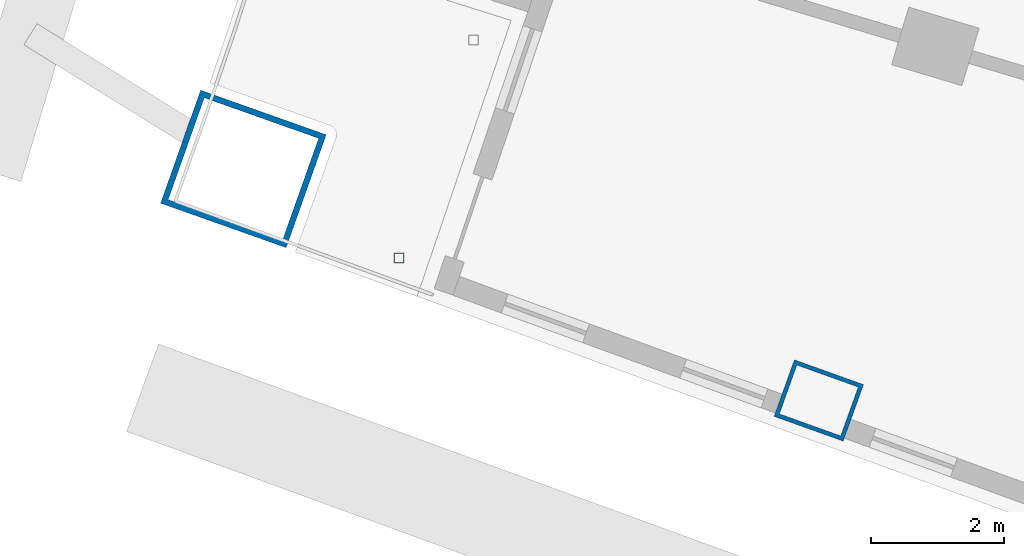
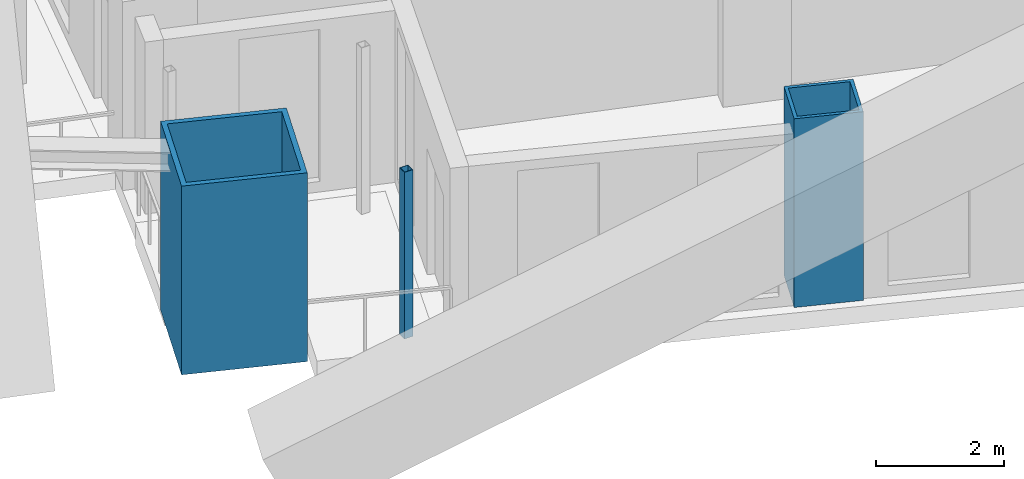
# One storey, part 1 of 25: 3 columns.
"""IFC4 building model written with IfcOpenShell, lengths in metres."""

import ifcopenshell
import ifcopenshell.guid

model = None  # the IFC model being written
_history = None  # IfcOwnerHistory: only IFC2X3 demands one
_inside = {}  # id of a spatial element -> (the spatial element, [elements in it])
_under = {}  # id of a project, library or spatial element -> (it, [spatial elements below it])
_declared = {}  # id of a project -> (the project, [libraries it declares])
_typed = {}  # id of a type object -> (the type object, [elements of that type])
_made_of = {}  # id of a material, layer set ... -> (it, [elements and type objects made of it])


def new_model(schema):
    """Start an empty IFC model of exactly this schema.

    Asked for "IFC4X3", IfcOpenShell would pick the latest addendum, in which some entities
    have other attributes; the version numbers below select the first issue.
    IFC2X3 requires an IfcOwnerHistory on every rooted entity: one is made here for all.
    """
    global model, _history
    if schema == "IFC4X3":
        model = ifcopenshell.file(schema_version=(4, 3, 0, 0))
    else:
        model = ifcopenshell.file(schema=schema)
    _inside.clear()
    _under.clear()
    _declared.clear()
    _typed.clear()
    _made_of.clear()
    _history = None
    if model.schema == "IFC2X3":
        org = make("IfcOrganization", Name="unknown")
        user = make(
            "IfcPersonAndOrganization",
            ThePerson=make("IfcPerson", FamilyName="unknown"),
            TheOrganization=org,
        )
        app = make(
            "IfcApplication",
            ApplicationDeveloper=org,
            Version="unknown",
            ApplicationFullName="unknown",
            ApplicationIdentifier="unknown",
        )
        _history = make(
            "IfcOwnerHistory",
            OwningUser=user,
            OwningApplication=app,
            ChangeAction="ADDED",
            CreationDate=0,
        )
    return model


def make(cls, **values):
    """One entity of the class cls with the attributes given. An attribute that is None is left unset."""
    return model.create_entity(
        cls, **{name: value for name, value in values.items() if value is not None}
    )


def rooted(cls, **values):
    """An entity with a GlobalId (a new one), such as an element, a storey or a relation."""
    return make(cls, GlobalId=ifcopenshell.guid.new(), OwnerHistory=_history, **values)


def si_unit(unit_type, name, prefix=None):
    """IfcSIUnit, for example si_unit("LENGTHUNIT", "METRE", prefix="MILLI")."""
    return make("IfcSIUnit", UnitType=unit_type, Prefix=prefix, Name=name)


def assignment(units):
    """IfcUnitAssignment: the units of a project."""
    return None if units is None else make("IfcUnitAssignment", Units=units)


def point(xyz):
    """IfcCartesianPoint."""
    return None if xyz is None else make("IfcCartesianPoint", Coordinates=xyz)


def direction(xyz):
    """IfcDirection."""
    return None if xyz is None else make("IfcDirection", DirectionRatios=xyz)


def frame(location, z_axis=None, x_axis=None):
    """IfcAxis2Placement3D, a coordinate frame: its origin and axes. An axis left out is left unset."""
    return make(
        "IfcAxis2Placement3D",
        Location=point(location),
        Axis=direction(z_axis),
        RefDirection=direction(x_axis),
    )


def frame_2d(location, x_axis=None):
    """IfcAxis2Placement2D, a coordinate frame in the plane: its origin and x axis."""
    return make(
        "IfcAxis2Placement2D", Location=point(location), RefDirection=direction(x_axis)
    )


def origin():
    """The frame at (0, 0, 0) with its axes left unset."""
    return frame((0.0, 0.0, 0.0))


def origin_2d():
    """The frame at (0, 0) in the plane with its x axis left unset."""
    return frame_2d((0.0, 0.0))


def place(relative_to, where):
    """IfcLocalPlacement: puts the frame where relative to a parent placement (None: the world)."""
    return make(
        "IfcLocalPlacement", PlacementRelTo=relative_to, RelativePlacement=where
    )


def context(
    kind, dimensions, precision=None, world=None, true_north=None, identifier=None
):
    """IfcGeometricRepresentationContext, for example the 3D "Model" context."""
    return make(
        "IfcGeometricRepresentationContext",
        ContextIdentifier=identifier,
        ContextType=kind,
        CoordinateSpaceDimension=dimensions,
        Precision=precision,
        WorldCoordinateSystem=world,
        TrueNorth=true_north,
    )


def subcontext(parent, identifier, kind, view, scale=None):
    """IfcGeometricRepresentationSubContext, for example "Body" below "Model"."""
    return make(
        "IfcGeometricRepresentationSubContext",
        ContextIdentifier=identifier,
        ContextType=kind,
        ParentContext=parent,
        TargetScale=scale,
        TargetView=view,
    )


def project(units=None, contexts=None):
    """IfcProject with its units and contexts."""
    return rooted(
        "IfcProject",
        Name="project",
        RepresentationContexts=contexts,
        UnitsInContext=assignment(units),
    )


def spatial(cls, under=None, at=None, **own):
    """A site, building, storey or space (cls), placed at a placement, below another one or the project."""
    s = rooted(cls, ObjectPlacement=at, **own)
    if under is not None:
        _under.setdefault(under.id(), (under, []))[1].append(s)
    return s


def profile(cls, at=None, kind="AREA", **sizes):
    """A parametric profile (cls). Its sizes go by their IFC names, for example OverallWidth=200.0."""
    return make(cls, ProfileType=kind, Position=at, **sizes)


def hollow_rectangle(**sizes):
    """IfcRectangleHollowProfileDef."""
    return profile("IfcRectangleHollowProfileDef", **sizes)


def extrude(swept, where, along, depth):
    """IfcExtrudedAreaSolid: the profile swept, set in the frame where, extruded along a direction by depth."""
    return make(
        "IfcExtrudedAreaSolid",
        SweptArea=swept,
        Position=where,
        ExtrudedDirection=direction(along),
        Depth=depth,
    )


def shape(context_of_items, identifier, shape_type, items):
    """IfcShapeRepresentation: the items that make up one representation, for example the "Body"."""
    return make(
        "IfcShapeRepresentation",
        ContextOfItems=context_of_items,
        RepresentationIdentifier=identifier,
        RepresentationType=shape_type,
        Items=items,
    )


def material(Name=None, Category=None):
    """IfcMaterial."""
    return make("IfcMaterial", Name=Name, Category=Category)


def material_profile(
    of_material, cross_section, Name=None, Category=None, Priority=None
):
    """IfcMaterialProfile: a cross section and its material."""
    return make(
        "IfcMaterialProfile",
        Name=Name,
        Material=of_material,
        Profile=cross_section,
        Priority=Priority,
        Category=Category,
    )


def profile_set(profiles, Name=None, composite=None):
    """IfcMaterialProfileSet."""
    return make(
        "IfcMaterialProfileSet",
        Name=Name,
        MaterialProfiles=profiles,
        CompositeProfile=composite,
    )


def made_of(thing, what):
    """Note that an element or type object is made of a material, layer set ...; save() writes the relation."""
    if what is not None:
        _made_of.setdefault(what.id(), (what, []))[1].append(thing)
    return thing


def type_object(cls, material=None, **own):
    """A type object (cls), such as IfcWallType, which elements share."""
    return made_of(rooted(cls, **own), material)


def element(
    cls,
    number,
    at=None,
    inside=None,
    cuts=None,
    type_object=None,
    material=None,
    context=None,
    identifier="Body",
    shape_type=None,
    held_by="IfcProductDefinitionShape",
    body=None,
    shapes=None,
    **own,
):
    """One element of the class cls, such as IfcWall. Its Tag is "e" and its number.

    at: its placement. inside: the storey or other place that contains it. cuts: it is an
    opening in that element (IfcRelVoidsElement). A single representation is given by context,
    identifier, shape_type and body (its items); several are given by shapes. held_by: the class
    of the entity that holds the representations. save() writes the other relations.
    """
    e = rooted(cls, Tag="e%d" % number, ObjectPlacement=at, **own)
    if body is not None:
        shapes = [shape(context, identifier, shape_type, body)]
    if shapes is not None:
        e.Representation = make(held_by, Representations=shapes)
    if inside is not None:
        _inside.setdefault(inside.id(), (inside, []))[1].append(e)
    if cuts is not None:
        rooted(
            "IfcRelVoidsElement", RelatingBuildingElement=cuts, RelatedOpeningElement=e
        )
    if type_object is not None:
        _typed.setdefault(type_object.id(), (type_object, []))[1].append(e)
    return made_of(e, material)


def aggregate(whole, parts):
    """IfcRelAggregates: a whole, such as a stair, and the parts it consists of."""
    return rooted("IfcRelAggregates", RelatingObject=whole, RelatedObjects=parts)


def save(model, path):
    """Write the relations noted so far, then the file.

    IfcRelAggregates (storeys below a building ...), IfcRelContainedInSpatialStructure (elements
    in a storey), IfcRelDefinesByType, IfcRelAssociatesMaterial and IfcRelDeclares: one each for
    every whole, place, type object, material and project.
    """
    for whole, parts in _under.values():
        aggregate(whole, parts)
    for where, things in _inside.values():
        rooted(
            "IfcRelContainedInSpatialStructure",
            RelatedElements=things,
            RelatingStructure=where,
        )
    for kind, things in _typed.values():
        rooted("IfcRelDefinesByType", RelatedObjects=things, RelatingType=kind)
    for what, things in _made_of.values():
        rooted("IfcRelAssociatesMaterial", RelatedObjects=things, RelatingMaterial=what)
    for by, libraries in _declared.values():
        rooted("IfcRelDeclares", RelatingContext=by, RelatedDefinitions=libraries)
    model.write(path)


model = new_model("IFC4")

# Units and contexts
model_context = context("Model", 3, precision=1e-05, world=origin(), true_north=direction((0.0, 1.0)))
body_context = subcontext(model_context, "Body", "Model", "MODEL_VIEW")
ifc_project = project(units=[si_unit("LENGTHUNIT", "METRE"), si_unit("AREAUNIT", "SQUARE_METRE"), si_unit("VOLUMEUNIT", "CUBIC_METRE"), si_unit("PLANEANGLEUNIT", "RADIAN"), si_unit("MASSUNIT", "GRAM", prefix="KILO")], contexts=[model_context])

# Site, building, storey
site_placement = place(None, origin())
site = spatial("IfcSite", under=ifc_project, at=site_placement, CompositionType="ELEMENT")
building_placement = place(site_placement, origin())
building = spatial("IfcBuilding", under=site, at=building_placement, Name="Alderwake Tower", CompositionType="ELEMENT")
storey_placement = place(building_placement, frame((0.0, 0.0, 32.0)))
storey = spatial("IfcBuildingStorey", under=building, at=storey_placement, Name="L06", CompositionType="ELEMENT", Elevation=32.0)

# Columns
ifc_material_1 = material(Name="Steel ASTM A572 Grade 50 concrete filled C70/85", Category="concrete")
ifc_material_profile_1 = material_profile(ifc_material_1, hollow_rectangle(XDim=0.89990234375, YDim=1.10009765625, WallThickness=0.06005859375, at=origin_2d()), Name="BOX 1100X900X60")
ifc_profile_set_1 = profile_set([ifc_material_profile_1], Name="Steel ASTM A572 Grade 50 concrete filled C70/85")
column_type_1 = type_object("IfcColumnType", Name="End column Z1", PredefinedType="COLUMN", material=ifc_profile_set_1)
column_1_placement = place(storey_placement, frame((19.965576171875, 25.1484375, 0.0), z_axis=(0.0, 0.0, 1.0), x_axis=(0.337584879279, 0.9412950915, 0.0)))
element("IfcColumn", 1, at=column_1_placement, inside=storey, type_object=column_type_1, Name="Column R01-C1", PredefinedType="COLUMN", context=body_context, shape_type="SweptSolid", body=[
    extrude(hollow_rectangle(XDim=0.89990234375, YDim=1.10009765625, WallThickness=0.06005859375, at=origin_2d()), origin(), (0.0, 0.0, 1.0), 3.60009765625),
])
ifc_material_2 = material(Name="Steel ASTM A500 Grade C", Category="steel")
ifc_material_profile_2 = material_profile(ifc_material_2, hollow_rectangle(XDim=0.15234375, YDim=0.15234375, WallThickness=0.0087890625, at=origin_2d()), Name="HSS6X6X3/8")
ifc_profile_set_2 = profile_set([ifc_material_profile_2], Name="Steel ASTM A500 Grade C")
column_type_2 = type_object("IfcColumnType", Name="Light post HSS6X6X3/8", PredefinedType="COLUMN", material=ifc_profile_set_2)
column_2_placement = place(storey_placement, frame((13.66796875, 27.28759765625, 0.0), z_axis=(0.0, 0.0, 1.0), x_axis=(1.0, 0.0, 0.0)))
element("IfcColumn", 2, at=column_2_placement, inside=storey, type_object=column_type_2, Name="Terrace post RS2", PredefinedType="COLUMN", context=body_context, shape_type="SweptSolid", body=[
    extrude(hollow_rectangle(XDim=0.15234375, YDim=0.15234375, WallThickness=0.0087890625, at=origin_2d()), origin(), (0.0, 0.0, 1.0), 3.179931640625),
])
ifc_material_3 = material(Name="Steel ASTM A572 Grade 50 concrete filled C70/85", Category="concrete")
ifc_material_profile_3 = material_profile(ifc_material_3, hollow_rectangle(XDim=1.800048828125, YDim=2.0, WallThickness=0.090087890625, at=origin_2d()), Name="BOX 2000X1800X90")
ifc_profile_set_3 = profile_set([ifc_material_profile_3], Name="Steel ASTM A572 Grade 50 concrete filled C70/85")
column_type_3 = type_object("IfcColumnType", Name="Mega column Z1", PredefinedType="COLUMN", material=ifc_profile_set_3)
column_3_placement = place(storey_placement, frame((11.330810546875, 28.622802734375, 0.0), z_axis=(0.0, 0.0, 1.0), x_axis=(0.334130947791, 0.942526662609, 0.0)))
element("IfcColumn", 3, at=column_3_placement, inside=storey, type_object=column_type_3, Name="Column R01-C0", PredefinedType="COLUMN", context=body_context, shape_type="SweptSolid", body=[
    extrude(hollow_rectangle(XDim=1.800048828125, YDim=2.0, WallThickness=0.090087890625, at=origin_2d()), origin(), (0.0, 0.0, 1.0), 3.60009765625),
])

save(model, "model.ifc")
